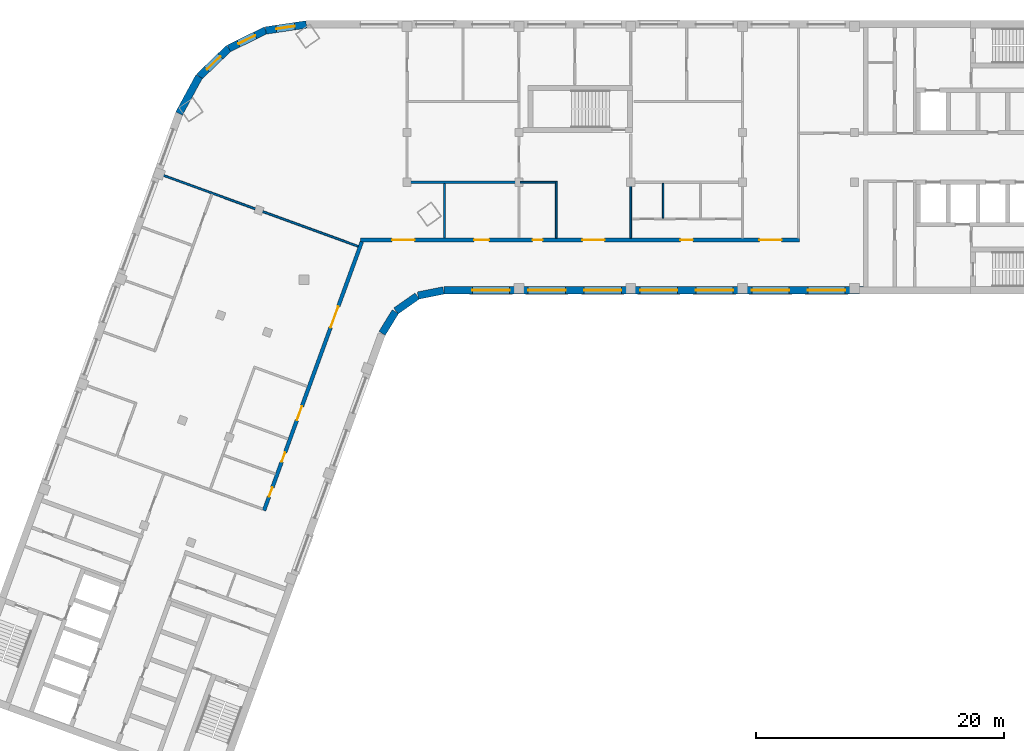
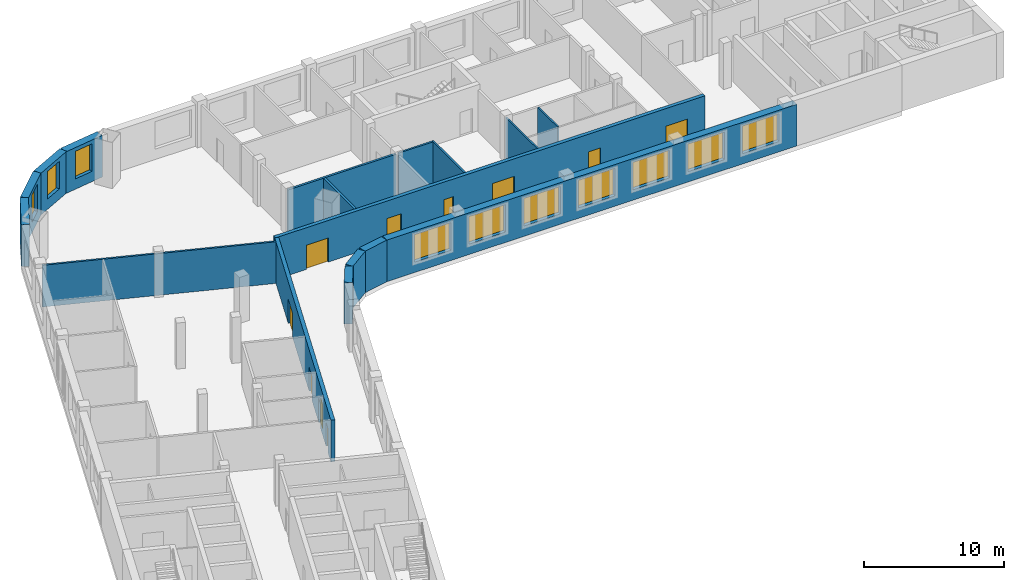
# One storey, part 4 of 9: 17 walls, 10 doors, 10 windows, 20 openings.
"""IFC4 building model written with IfcOpenShell, lengths in metres."""

from ifc_helpers import new_model, si_unit, direction, frame, frame_2d, origin, place, context, subcontext, project, spatial, rectangle, extrude, material, layer, layer_set, type_object, element, fill, save


model = new_model("IFC4")

# Units and contexts
model_context = context("Model", 3, precision=1e-05, world=origin(), true_north=direction((0.0, 1.0)))
body_context = subcontext(model_context, "Body", "Model", "MODEL_VIEW")
ifc_project = project(units=[si_unit("LENGTHUNIT", "METRE"), si_unit("AREAUNIT", "SQUARE_METRE"), si_unit("VOLUMEUNIT", "CUBIC_METRE"), si_unit("PLANEANGLEUNIT", "RADIAN"), si_unit("MASSUNIT", "GRAM", prefix="KILO")], contexts=[model_context])

# Site, building, storey
site_placement = place(None, origin())
site = spatial("IfcSite", under=ifc_project, at=site_placement, CompositionType="ELEMENT")
building_placement = place(site_placement, origin())
building = spatial("IfcBuilding", under=site, at=building_placement, Name="Skarvind Civic Tower", CompositionType="ELEMENT")
storey_placement = place(building_placement, frame((0.0, 0.0, 158.5)))
storey = spatial("IfcBuildingStorey", under=building, at=storey_placement, Name="L37", CompositionType="ELEMENT", Elevation=158.5)

# Walls
ifc_material_1 = material(Name="Acoustic gypsum board on steel studs", Category="steel")
ifc_layer_1 = layer(ifc_material_1, 0.175048828125)
ifc_layer_set_1 = layer_set([ifc_layer_1], Name="ACOUSTIC MEETING-ROOM PARTITION 175")
wall_type_1 = type_object("IfcWallType", Name="ACOUSTIC MEETING-ROOM PARTITION 175", PredefinedType="PARTITIONING", material=ifc_layer_set_1)
wall_1_placement = place(storey_placement, frame((54.251953125, 126.0, 0.0), z_axis=(0.0, 0.0, 1.0), x_axis=(1.0, 0.0, 0.0)))
element("IfcWall", 1, at=wall_1_placement, inside=storey, type_object=wall_type_1, Name="Partition 37.022", PredefinedType="PARTITIONING", context=body_context, shape_type="SweptSolid", body=[
    extrude(rectangle(XDim=8.91015625, YDim=0.175048828125, at=frame_2d((4.455078125, 0.0))), origin(), (0.0, 0.0, 1.0), 3.625),
])
wall_2_placement = place(storey_placement, frame((57.25, 125.912109375, 0.0), z_axis=(0.0, 0.0, 1.0), x_axis=(0.0, -1.0, 0.0)))
element("IfcWall", 2, at=wall_2_placement, inside=storey, type_object=wall_type_1, Name="Partition 37.023", PredefinedType="PARTITIONING", context=body_context, shape_type="SweptSolid", body=[
    extrude(rectangle(XDim=4.4111328125, YDim=0.175048828125, at=frame_2d((2.20556640625, 0.0))), origin(), (0.0, 0.0, 1.0), 3.625),
])

# Wall, openings, doors
ifc_material_2 = material(Name="Fire-rated gypsum board on steel studs", Category="steel")
ifc_layer_2 = layer(ifc_material_2, 0.300048828125)
ifc_layer_set_2 = layer_set([ifc_layer_2], Name="CORRIDOR WALL 300")
wall_type_2 = type_object("IfcWallType", Name="CORRIDOR WALL 300", PredefinedType="PARTITIONING", material=ifc_layer_set_2)
wall_3_placement = place(storey_placement, frame((42.73193359375, 99.5791015625, 0.0), z_axis=(0.0, 0.0, 1.0), x_axis=(0.342036000593, 0.939686849061, 0.0)))
wall_3 = element("IfcWall", 3, at=wall_3_placement, inside=storey, type_object=wall_type_2, Name="Partition 37.017", PredefinedType="PARTITIONING", context=body_context, shape_type="SweptSolid", body=[
    extrude(rectangle(XDim=23.01806640625, YDim=0.300048828125, at=frame_2d((11.509033203125, 0.0))), origin(), (0.0, 0.0, 1.0), 3.625),
])
opening_1_placement = place(wall_3_placement, frame((1.174560546875, 0.0, 0.0)))
opening_1 = element("IfcOpeningElement", 4, at=opening_1_placement, cuts=wall_3, Name="Opening L37-D016", PredefinedType="OPENING", context=body_context, shape_type="SweptSolid", body=[
    extrude(rectangle(XDim=0.800048828125, YDim=2.10009765625, at=frame_2d((0.39990234375, 1.050048828125))), frame((0.0, 0.159912109375, 0.0), z_axis=(0.0, -1.0, 0.0), x_axis=(1.0, 0.0, 0.0)), (0.0, 0.0, 1.0), 0.320068359375),
])
opening_2_placement = place(wall_3_placement, frame((4.174560546875, 0.0, 0.0)))
opening_2 = element("IfcOpeningElement", 5, at=opening_2_placement, cuts=wall_3, Name="Opening L37-D017", PredefinedType="OPENING", context=body_context, shape_type="SweptSolid", body=[
    extrude(rectangle(XDim=0.800048828125, YDim=2.10009765625, at=frame_2d((0.39990234375, 1.050048828125))), frame((0.0, 0.159912109375, 0.0), z_axis=(0.0, -1.0, 0.0), x_axis=(1.0, 0.0, 0.0)), (0.0, 0.0, 1.0), 0.320068359375),
])
opening_3_placement = place(wall_3_placement, frame((7.724609375, 0.0, 0.0)))
opening_3 = element("IfcOpeningElement", 6, at=opening_3_placement, cuts=wall_3, Name="Opening L37-D018", PredefinedType="OPENING", context=body_context, shape_type="SweptSolid", body=[
    extrude(rectangle(XDim=1.199951171875, YDim=2.10009765625, at=frame_2d((0.60009765625, 1.050048828125))), frame((0.0, 0.159912109375, 0.0), z_axis=(0.0, -1.0, 0.0), x_axis=(1.0, 0.0, 0.0)), (0.0, 0.0, 1.0), 0.320068359375),
])
opening_4_placement = place(wall_3_placement, frame((15.674560546875, 0.0, 0.0)))
opening_4 = element("IfcOpeningElement", 7, at=opening_4_placement, cuts=wall_3, Name="Opening L37-D023", PredefinedType="OPENING", context=body_context, shape_type="SweptSolid", body=[
    extrude(rectangle(XDim=1.800048828125, YDim=2.10009765625, at=frame_2d((0.89990234375, 1.050048828125))), frame((0.0, 0.159912109375, 0.0), z_axis=(0.0, -1.0, 0.0), x_axis=(1.0, 0.0, 0.0)), (0.0, 0.0, 1.0), 0.320068359375),
])
ifc_material_3 = material(Name="Fire-rated timber door leaf", Category="wood")
door_type_1 = type_object("IfcDoorType", Name="FD4 1800x2100", OperationType="NOTDEFINED", PredefinedType="DOOR", material=ifc_material_3)
door_1_placement = place(opening_4_placement, origin())
door_1 = element("IfcDoor", 8, at=door_1_placement, inside=storey, type_object=door_type_1, Name="Door L37-D023", OperationType="DOUBLE_DOOR_SINGLE_SWING", OverallHeight=2.10009765625, OverallWidth=1.800048828125, PredefinedType="DOOR", context=body_context, shape_type="SweptSolid", body=[
    extrude(rectangle(XDim=1.800048828125, YDim=2.10009765625, at=frame_2d((0.89990234375, 1.050048828125))), frame((0.0, 0.02490234375, 0.0), z_axis=(0.0, -1.0, 0.0), x_axis=(1.0, 0.0, 0.0)), (0.0, 0.0, 1.0), 0.050048828125),
])
fill(opening_4, door_1)
door_type_2 = type_object("IfcDoorType", Name="FD5 800x2100", OperationType="NOTDEFINED", PredefinedType="DOOR", material=ifc_material_3)
door_2_placement = place(opening_1_placement, origin())
door_2 = element("IfcDoor", 9, at=door_2_placement, inside=storey, type_object=door_type_2, Name="Door L37-D016", OperationType="SINGLE_SWING_RIGHT", OverallHeight=2.10009765625, OverallWidth=0.800048828125, PredefinedType="DOOR", context=body_context, shape_type="SweptSolid", body=[
    extrude(rectangle(XDim=0.800048828125, YDim=2.10009765625, at=frame_2d((0.39990234375, 1.050048828125))), frame((0.0, 0.02490234375, 0.0), z_axis=(0.0, -1.0, 0.0), x_axis=(1.0, 0.0, 0.0)), (0.0, 0.0, 1.0), 0.050048828125),
])
fill(opening_1, door_2)
door_3_placement = place(opening_2_placement, origin())
door_3 = element("IfcDoor", 10, at=door_3_placement, inside=storey, type_object=door_type_2, Name="Door L37-D017", OperationType="SINGLE_SWING_LEFT", OverallHeight=2.10009765625, OverallWidth=0.800048828125, PredefinedType="DOOR", context=body_context, shape_type="SweptSolid", body=[
    extrude(rectangle(XDim=0.800048828125, YDim=2.10009765625, at=frame_2d((0.39990234375, 1.050048828125))), frame((0.0, 0.02490234375, 0.0), z_axis=(0.0, -1.0, 0.0), x_axis=(1.0, 0.0, 0.0)), (0.0, 0.0, 1.0), 0.050048828125),
])
fill(opening_2, door_3)
door_type_3 = type_object("IfcDoorType", Name="FD6 1200x2100 DOUBLE", OperationType="NOTDEFINED", PredefinedType="DOOR", material=ifc_material_3)
door_4_placement = place(opening_3_placement, origin())
door_4 = element("IfcDoor", 11, at=door_4_placement, inside=storey, type_object=door_type_3, Name="Door L37-D018", OperationType="DOUBLE_DOOR_SINGLE_SWING", OverallHeight=2.10009765625, OverallWidth=1.199951171875, PredefinedType="DOOR", context=body_context, shape_type="SweptSolid", body=[
    extrude(rectangle(XDim=1.199951171875, YDim=2.10009765625, at=frame_2d((0.60009765625, 1.050048828125))), frame((0.0, 0.02490234375, 0.0), z_axis=(0.0, -1.0, 0.0), x_axis=(1.0, 0.0, 0.0)), (0.0, 0.0, 1.0), 0.050048828125),
])
fill(opening_3, door_4)

wall_4_placement = place(storey_placement, frame((50.506103515625, 121.35009765625, 0.0), z_axis=(0.0, 0.0, 1.0), x_axis=(1.0, 0.0, 0.0)))
wall_4 = element("IfcWall", 12, at=wall_4_placement, inside=storey, type_object=wall_type_2, Name="Partition 37.019", PredefinedType="PARTITIONING", context=body_context, shape_type="SweptSolid", body=[
    extrude(rectangle(XDim=35.31884765625, YDim=0.300048828125, at=frame_2d((17.659423828125, 0.0))), origin(), (0.0, 0.0, 1.0), 3.625),
])
opening_5_placement = place(wall_4_placement, frame((25.743896484375, 0.0, 0.0)))
opening_5 = element("IfcOpeningElement", 13, at=opening_5_placement, cuts=wall_4, Name="Opening L37-D002", PredefinedType="OPENING", context=body_context, shape_type="SweptSolid", body=[
    extrude(rectangle(XDim=1.0, YDim=2.10009765625, at=frame_2d((0.5, 1.050048828125))), frame((0.0, 0.159912109375, 0.0), z_axis=(0.0, -1.0, 0.0), x_axis=(1.0, 0.0, 0.0)), (0.0, 0.0, 1.0), 0.320068359375),
])
opening_6_placement = place(wall_4_placement, frame((32.093994140625, 0.0, 0.0)))
opening_6 = element("IfcOpeningElement", 14, at=opening_6_placement, cuts=wall_4, Name="Opening L37-D008", PredefinedType="OPENING", context=body_context, shape_type="SweptSolid", body=[
    extrude(rectangle(XDim=1.800048828125, YDim=2.10009765625, at=frame_2d((0.89990234375, 1.050048828125))), frame((0.0, 0.159912109375, 0.0), z_axis=(0.0, -1.0, 0.0), x_axis=(1.0, 0.0, 0.0)), (0.0, 0.0, 1.0), 0.320068359375),
])
opening_7_placement = place(wall_4_placement, frame((13.843994140625, 0.0, 0.0)))
opening_7 = element("IfcOpeningElement", 15, at=opening_7_placement, cuts=wall_4, Name="Opening L37-D009", PredefinedType="OPENING", context=body_context, shape_type="SweptSolid", body=[
    extrude(rectangle(XDim=0.800048828125, YDim=2.10009765625, at=frame_2d((0.39990234375, 1.050048828125))), frame((0.0, 0.159912109375, 0.0), z_axis=(0.0, -1.0, 0.0), x_axis=(1.0, 0.0, 0.0)), (0.0, 0.0, 1.0), 0.320068359375),
])
opening_8_placement = place(wall_4_placement, frame((9.14404296875, 0.0, 0.0)))
opening_8 = element("IfcOpeningElement", 16, at=opening_8_placement, cuts=wall_4, Name="Opening L37-D010", PredefinedType="OPENING", context=body_context, shape_type="SweptSolid", body=[
    extrude(rectangle(XDim=1.199951171875, YDim=2.10009765625, at=frame_2d((0.60009765625, 1.050048828125))), frame((0.0, 0.159912109375, 0.0), z_axis=(0.0, -1.0, 0.0), x_axis=(1.0, 0.0, 0.0)), (0.0, 0.0, 1.0), 0.320068359375),
])
opening_9_placement = place(wall_4_placement, frame((17.843994140625, 0.0, 0.0)))
opening_9 = element("IfcOpeningElement", 17, at=opening_9_placement, cuts=wall_4, Name="Opening L37-D014", PredefinedType="OPENING", context=body_context, shape_type="SweptSolid", body=[
    extrude(rectangle(XDim=1.800048828125, YDim=2.10009765625, at=frame_2d((0.89990234375, 1.050048828125))), frame((0.0, 0.159912109375, 0.0), z_axis=(0.0, -1.0, 0.0), x_axis=(1.0, 0.0, 0.0)), (0.0, 0.0, 1.0), 0.320068359375),
])
opening_10_placement = place(wall_4_placement, frame((2.54296875, 0.0, 0.0)))
opening_10 = element("IfcOpeningElement", 18, at=opening_10_placement, cuts=wall_4, Name="Opening L37-D024", PredefinedType="OPENING", context=body_context, shape_type="SweptSolid", body=[
    extrude(rectangle(XDim=1.800048828125, YDim=2.10009765625, at=frame_2d((0.89990234375, 1.050048828125))), frame((0.0, 0.159912109375, 0.0), z_axis=(0.0, -1.0, 0.0), x_axis=(1.0, 0.0, 0.0)), (0.0, 0.0, 1.0), 0.320068359375),
])
door_type_4 = type_object("IfcDoorType", Name="FD1 1000x2100", OperationType="NOTDEFINED", PredefinedType="DOOR", material=ifc_material_3)
door_5_placement = place(opening_5_placement, origin())
door_5 = element("IfcDoor", 19, at=door_5_placement, inside=storey, type_object=door_type_4, Name="Door L37-D002", OperationType="SINGLE_SWING_LEFT", OverallHeight=2.10009765625, OverallWidth=1.0, PredefinedType="DOOR", context=body_context, shape_type="SweptSolid", body=[
    extrude(rectangle(XDim=1.0, YDim=2.10009765625, at=frame_2d((0.5, 1.050048828125))), frame((0.0, 0.02490234375, 0.0), z_axis=(0.0, -1.0, 0.0), x_axis=(1.0, 0.0, 0.0)), (0.0, 0.0, 1.0), 0.050048828125),
])
fill(opening_5, door_5)
door_6_placement = place(opening_6_placement, origin())
door_6 = element("IfcDoor", 20, at=door_6_placement, inside=storey, type_object=door_type_1, Name="Door L37-D008", OperationType="DOUBLE_DOOR_SINGLE_SWING", OverallHeight=2.10009765625, OverallWidth=1.800048828125, PredefinedType="DOOR", context=body_context, shape_type="SweptSolid", body=[
    extrude(rectangle(XDim=1.800048828125, YDim=2.10009765625, at=frame_2d((0.89990234375, 1.050048828125))), frame((0.0, 0.02490234375, 0.0), z_axis=(0.0, -1.0, 0.0), x_axis=(1.0, 0.0, 0.0)), (0.0, 0.0, 1.0), 0.050048828125),
])
fill(opening_6, door_6)
door_7_placement = place(opening_9_placement, origin())
door_7 = element("IfcDoor", 21, at=door_7_placement, inside=storey, type_object=door_type_1, Name="Door L37-D014", OperationType="DOUBLE_DOOR_SINGLE_SWING", OverallHeight=2.10009765625, OverallWidth=1.800048828125, PredefinedType="DOOR", context=body_context, shape_type="SweptSolid", body=[
    extrude(rectangle(XDim=1.800048828125, YDim=2.10009765625, at=frame_2d((0.89990234375, 1.050048828125))), frame((0.0, 0.02490234375, 0.0), z_axis=(0.0, -1.0, 0.0), x_axis=(1.0, 0.0, 0.0)), (0.0, 0.0, 1.0), 0.050048828125),
])
fill(opening_9, door_7)
door_8_placement = place(opening_10_placement, origin())
door_8 = element("IfcDoor", 22, at=door_8_placement, inside=storey, type_object=door_type_1, Name="Door L37-D024", OperationType="DOUBLE_DOOR_SINGLE_SWING", OverallHeight=2.10009765625, OverallWidth=1.800048828125, PredefinedType="DOOR", context=body_context, shape_type="SweptSolid", body=[
    extrude(rectangle(XDim=1.800048828125, YDim=2.10009765625, at=frame_2d((0.89990234375, 1.050048828125))), frame((0.0, 0.02490234375, 0.0), z_axis=(0.0, -1.0, 0.0), x_axis=(1.0, 0.0, 0.0)), (0.0, 0.0, 1.0), 0.050048828125),
])
fill(opening_10, door_8)
door_9_placement = place(opening_7_placement, origin())
door_9 = element("IfcDoor", 23, at=door_9_placement, inside=storey, type_object=door_type_2, Name="Door L37-D009", OperationType="SINGLE_SWING_LEFT", OverallHeight=2.10009765625, OverallWidth=0.800048828125, PredefinedType="DOOR", context=body_context, shape_type="SweptSolid", body=[
    extrude(rectangle(XDim=0.800048828125, YDim=2.10009765625, at=frame_2d((0.39990234375, 1.050048828125))), frame((0.0, 0.02490234375, 0.0), z_axis=(0.0, -1.0, 0.0), x_axis=(1.0, 0.0, 0.0)), (0.0, 0.0, 1.0), 0.050048828125),
])
fill(opening_7, door_9)
door_10_placement = place(opening_8_placement, origin())
door_10 = element("IfcDoor", 24, at=door_10_placement, inside=storey, type_object=door_type_3, Name="Door L37-D010", OperationType="DOUBLE_DOOR_SINGLE_SWING", OverallHeight=2.10009765625, OverallWidth=1.199951171875, PredefinedType="DOOR", context=body_context, shape_type="SweptSolid", body=[
    extrude(rectangle(XDim=1.199951171875, YDim=2.10009765625, at=frame_2d((0.60009765625, 1.050048828125))), frame((0.0, 0.02490234375, 0.0), z_axis=(0.0, -1.0, 0.0), x_axis=(1.0, 0.0, 0.0)), (0.0, 0.0, 1.0), 0.050048828125),
])
fill(opening_8, door_10)

# Walls
ifc_material_4 = material(Name="Plasterboard partition on steel studs", Category="steel")
ifc_layer_3 = layer(ifc_material_4, 0.14990234375)
ifc_layer_set_3 = layer_set([ifc_layer_3], Name="PARTITION 150")
wall_type_3 = type_object("IfcWallType", Name="PARTITION 150", PredefinedType="PARTITIONING", material=ifc_layer_set_3)
wall_5_placement = place(storey_placement, frame((34.431884765625, 126.6240234375, 0.0), z_axis=(0.0, 0.0, 1.0), x_axis=(0.939664702396, -0.342096838733, 0.0)))
element("IfcWall", 25, at=wall_5_placement, inside=storey, type_object=wall_type_3, Name="Partition 37.009", PredefinedType="PARTITIONING", context=body_context, shape_type="SweptSolid", body=[
    extrude(rectangle(XDim=16.898681640625, YDim=0.14990234375, at=frame_2d((8.44921875, 0.0))), origin(), (0.0, 0.0, 1.0), 3.625),
])
wall_6_placement = place(storey_placement, frame((66.25, 121.5, 0.0), z_axis=(0.0, 0.0, 1.0), x_axis=(0.0, 1.0, 0.0)))
element("IfcWall", 26, at=wall_6_placement, inside=storey, type_object=wall_type_3, Name="Partition 37.028", PredefinedType="PARTITIONING", context=body_context, shape_type="SweptSolid", body=[
    extrude(rectangle(XDim=4.574951171875, YDim=0.14990234375, at=frame_2d((2.28759765625, 0.0))), origin(), (0.0, 0.0, 1.0), 3.625),
])
wall_7_placement = place(storey_placement, frame((66.175048828125, 126.0, 0.0), z_axis=(0.0, 0.0, 1.0), x_axis=(-1.0, 0.0, 0.0)))
element("IfcWall", 27, at=wall_7_placement, inside=storey, type_object=wall_type_3, Name="Partition 37.029", PredefinedType="PARTITIONING", context=body_context, shape_type="SweptSolid", body=[
    extrude(rectangle(XDim=2.837158203125, YDim=0.14990234375, at=frame_2d((1.41845703125, 0.0))), origin(), (0.0, 0.0, 1.0), 3.625),
])
ifc_material_5 = material(Name="Moisture-resistant gypsum board on steel studs", Category="steel")
ifc_layer_4 = layer(ifc_material_5, 0.125)
ifc_layer_set_4 = layer_set([ifc_layer_4], Name="WC PARTITION 125")
wall_type_4 = type_object("IfcWallType", Name="WC PARTITION 125", PredefinedType="PARTITIONING", material=ifc_layer_set_4)
wall_8_placement = place(storey_placement, frame((72.25, 121.5, 0.0), z_axis=(0.0, 0.0, 1.0), x_axis=(0.0, 1.0, 0.0)))
element("IfcWall", 28, at=wall_8_placement, inside=storey, type_object=wall_type_4, Name="Partition 37.031", PredefinedType="PARTITIONING", context=body_context, shape_type="SweptSolid", body=[
    extrude(rectangle(XDim=4.5, YDim=0.125, at=frame_2d((2.25, 0.0))), origin(), (0.0, 0.0, 1.0), 3.625),
])
wall_9_placement = place(storey_placement, frame((74.85009765625, 125.912109375, 0.0), z_axis=(0.0, 0.0, 1.0), x_axis=(0.0, -1.0, 0.0)))
element("IfcWall", 29, at=wall_9_placement, inside=storey, type_object=wall_type_4, Name="Partition 37.036", PredefinedType="PARTITIONING", context=body_context, shape_type="SweptSolid", body=[
    extrude(rectangle(XDim=2.800048828125, YDim=0.125, at=frame_2d((1.39990234375, 0.0))), origin(), (0.0, 0.0, 1.0), 3.625),
])
ifc_material_6 = material(Name="Limestone masonry cladding on insulated backing", Category="masonry")
ifc_layer_5 = layer(ifc_material_6, 0.60009765625)
ifc_layer_set_5 = layer_set([ifc_layer_5], Name="WX1 STONE FACADE WALL 600")
wall_type_5 = type_object("IfcWallType", Name="WX1 STONE FACADE WALL 600", PredefinedType="SOLIDWALL", material=ifc_layer_set_5)
wall_10_placement = place(storey_placement, frame((53.30517578125, 115.578369140625, 0.0), z_axis=(0.0, 0.0, 1.0), x_axis=(-0.522402266438, -0.852699168535, 0.0)))
element("IfcWall", 30, at=wall_10_placement, inside=storey, type_object=wall_type_5, Name="STONE FACADE WALL", PredefinedType="SOLIDWALL", context=body_context, shape_type="SweptSolid", body=[
    extrude(rectangle(XDim=2.042236328125, YDim=0.60009765625, at=frame_2d((1.02099609375, 0.0))), origin(), (0.0, 0.0, 1.0), 3.625),
])
for number, where, z_axis, x_axis, name in (
    (31, (55.061767578125, 116.8388671875, 0.0), (0.0, 0.0, 1.0), (-0.819122269495, -0.573618956815, 0.0), "STONE FACADE WALL"),
    (32, (57.17529296875, 117.2939453125, 0.0), (0.0, 0.0, 1.0), (-0.97996099083, -0.19918949885, 0.0), "STONE FACADE WALL"),
):
    element("IfcWall", number, at=place(storey_placement, frame(where, z_axis=z_axis, x_axis=x_axis)), inside=storey, type_object=wall_type_5, Name=name, PredefinedType="SOLIDWALL", context=body_context, shape_type="SweptSolid", body=[
        extrude(rectangle(XDim=2.09228515625, YDim=0.60009765625, at=frame_2d((1.046142578125, 0.0))), origin(), (0.0, 0.0, 1.0), 3.625),
    ])

# Wall, openings, windows
wall_11_placement = place(storey_placement, frame((90.97998046875, 117.300048828125, 0.0), z_axis=(0.0, 0.0, 1.0), x_axis=(-1.0, 0.0, 0.0)))
wall_11 = element("IfcWall", 33, at=wall_11_placement, inside=storey, type_object=wall_type_5, Name="STONE FACADE WALL", PredefinedType="SOLIDWALL", context=body_context, shape_type="SweptSolid", body=[
    extrude(rectangle(XDim=33.744873046875, YDim=0.60009765625, at=frame_2d((16.87255859375, 0.0))), origin(), (0.0, 0.0, 1.0), 3.625),
])
opening_11_placement = place(wall_11_placement, frame((1.47998046875, 0.0, 0.89990234375)))
opening_11 = element("IfcOpeningElement", 34, at=opening_11_placement, cuts=wall_11, Name="Opening WN1", PredefinedType="OPENING", context=body_context, shape_type="SweptSolid", body=[
    extrude(rectangle(XDim=3.0, YDim=2.39990234375, at=frame_2d((1.5, 1.199951171875))), frame((0.0, 0.31005859375, 0.0), z_axis=(0.0, -1.0, 0.0), x_axis=(1.0, 0.0, 0.0)), (0.0, 0.0, 1.0), 0.6201171875),
])
opening_12_placement = place(wall_11_placement, frame((5.97998046875, 0.0, 0.89990234375)))
opening_12 = element("IfcOpeningElement", 35, at=opening_12_placement, cuts=wall_11, Name="Opening WN1", PredefinedType="OPENING", context=body_context, shape_type="SweptSolid", body=[
    extrude(rectangle(XDim=3.0, YDim=2.39990234375, at=frame_2d((1.5, 1.199951171875))), frame((0.0, 0.31005859375, 0.0), z_axis=(0.0, -1.0, 0.0), x_axis=(1.0, 0.0, 0.0)), (0.0, 0.0, 1.0), 0.6201171875),
])
opening_13_placement = place(wall_11_placement, frame((10.47998046875, 0.0, 0.89990234375)))
opening_13 = element("IfcOpeningElement", 36, at=opening_13_placement, cuts=wall_11, Name="Opening WN1", PredefinedType="OPENING", context=body_context, shape_type="SweptSolid", body=[
    extrude(rectangle(XDim=3.0, YDim=2.39990234375, at=frame_2d((1.5, 1.199951171875))), frame((0.0, 0.31005859375, 0.0), z_axis=(0.0, -1.0, 0.0), x_axis=(1.0, 0.0, 0.0)), (0.0, 0.0, 1.0), 0.6201171875),
])
opening_14_placement = place(wall_11_placement, frame((14.97998046875, 0.0, 0.89990234375)))
opening_14 = element("IfcOpeningElement", 37, at=opening_14_placement, cuts=wall_11, Name="Opening WN1", PredefinedType="OPENING", context=body_context, shape_type="SweptSolid", body=[
    extrude(rectangle(XDim=3.0, YDim=2.39990234375, at=frame_2d((1.5, 1.199951171875))), frame((0.0, 0.31005859375, 0.0), z_axis=(0.0, -1.0, 0.0), x_axis=(1.0, 0.0, 0.0)), (0.0, 0.0, 1.0), 0.6201171875),
])
opening_15_placement = place(wall_11_placement, frame((19.47998046875, 0.0, 0.89990234375)))
opening_15 = element("IfcOpeningElement", 38, at=opening_15_placement, cuts=wall_11, Name="Opening WN1", PredefinedType="OPENING", context=body_context, shape_type="SweptSolid", body=[
    extrude(rectangle(XDim=3.0, YDim=2.39990234375, at=frame_2d((1.5, 1.199951171875))), frame((0.0, 0.31005859375, 0.0), z_axis=(0.0, -1.0, 0.0), x_axis=(1.0, 0.0, 0.0)), (0.0, 0.0, 1.0), 0.6201171875),
])
opening_16_placement = place(wall_11_placement, frame((23.97998046875, 0.0, 0.89990234375)))
opening_16 = element("IfcOpeningElement", 39, at=opening_16_placement, cuts=wall_11, Name="Opening WN1", PredefinedType="OPENING", context=body_context, shape_type="SweptSolid", body=[
    extrude(rectangle(XDim=3.0, YDim=2.39990234375, at=frame_2d((1.5, 1.199951171875))), frame((0.0, 0.31005859375, 0.0), z_axis=(0.0, -1.0, 0.0), x_axis=(1.0, 0.0, 0.0)), (0.0, 0.0, 1.0), 0.6201171875),
])
opening_17_placement = place(wall_11_placement, frame((28.47998046875, 0.0, 0.89990234375)))
opening_17 = element("IfcOpeningElement", 40, at=opening_17_placement, cuts=wall_11, Name="Opening WN1", PredefinedType="OPENING", context=body_context, shape_type="SweptSolid", body=[
    extrude(rectangle(XDim=3.0, YDim=2.39990234375, at=frame_2d((1.5, 1.199951171875))), frame((0.0, 0.31005859375, 0.0), z_axis=(0.0, -1.0, 0.0), x_axis=(1.0, 0.0, 0.0)), (0.0, 0.0, 1.0), 0.6201171875),
])
ifc_material_7 = material(Name="Timber frame, double glazing, timber-lined reveal", Category="wood")
window_type_1 = type_object("IfcWindowType", Name="WN1 PUNCHED STONE WINDOW 3000 x 2400", PartitioningType="SINGLE_PANEL", PredefinedType="WINDOW", material=ifc_material_7)
window_1_placement = place(opening_11_placement, origin())
window_1 = element("IfcWindow", 41, at=window_1_placement, inside=storey, type_object=window_type_1, Name="WN1 WINDOW", OverallHeight=2.39990234375, OverallWidth=3.0, PartitioningType="SINGLE_PANEL", PredefinedType="WINDOW", context=body_context, shape_type="SweptSolid", body=[
    extrude(rectangle(XDim=3.0, YDim=2.39990234375, at=frame_2d((1.5, 1.199951171875))), frame((0.0, 0.030029296875, 0.0), z_axis=(0.0, -1.0, 0.0), x_axis=(1.0, 0.0, 0.0)), (0.0, 0.0, 1.0), 0.06005859375),
])
fill(opening_11, window_1)
window_2_placement = place(opening_12_placement, origin())
window_2 = element("IfcWindow", 42, at=window_2_placement, inside=storey, type_object=window_type_1, Name="WN1 WINDOW", OverallHeight=2.39990234375, OverallWidth=3.0, PartitioningType="SINGLE_PANEL", PredefinedType="WINDOW", context=body_context, shape_type="SweptSolid", body=[
    extrude(rectangle(XDim=3.0, YDim=2.39990234375, at=frame_2d((1.5, 1.199951171875))), frame((0.0, 0.030029296875, 0.0), z_axis=(0.0, -1.0, 0.0), x_axis=(1.0, 0.0, 0.0)), (0.0, 0.0, 1.0), 0.06005859375),
])
fill(opening_12, window_2)
window_3_placement = place(opening_13_placement, origin())
window_3 = element("IfcWindow", 43, at=window_3_placement, inside=storey, type_object=window_type_1, Name="WN1 WINDOW", OverallHeight=2.39990234375, OverallWidth=3.0, PartitioningType="SINGLE_PANEL", PredefinedType="WINDOW", context=body_context, shape_type="SweptSolid", body=[
    extrude(rectangle(XDim=3.0, YDim=2.39990234375, at=frame_2d((1.5, 1.199951171875))), frame((0.0, 0.030029296875, 0.0), z_axis=(0.0, -1.0, 0.0), x_axis=(1.0, 0.0, 0.0)), (0.0, 0.0, 1.0), 0.06005859375),
])
fill(opening_13, window_3)
window_4_placement = place(opening_14_placement, origin())
window_4 = element("IfcWindow", 44, at=window_4_placement, inside=storey, type_object=window_type_1, Name="WN1 WINDOW", OverallHeight=2.39990234375, OverallWidth=3.0, PartitioningType="SINGLE_PANEL", PredefinedType="WINDOW", context=body_context, shape_type="SweptSolid", body=[
    extrude(rectangle(XDim=3.0, YDim=2.39990234375, at=frame_2d((1.5, 1.199951171875))), frame((0.0, 0.030029296875, 0.0), z_axis=(0.0, -1.0, 0.0), x_axis=(1.0, 0.0, 0.0)), (0.0, 0.0, 1.0), 0.06005859375),
])
fill(opening_14, window_4)
window_5_placement = place(opening_15_placement, origin())
window_5 = element("IfcWindow", 45, at=window_5_placement, inside=storey, type_object=window_type_1, Name="WN1 WINDOW", OverallHeight=2.39990234375, OverallWidth=3.0, PartitioningType="SINGLE_PANEL", PredefinedType="WINDOW", context=body_context, shape_type="SweptSolid", body=[
    extrude(rectangle(XDim=3.0, YDim=2.39990234375, at=frame_2d((1.5, 1.199951171875))), frame((0.0, 0.030029296875, 0.0), z_axis=(0.0, -1.0, 0.0), x_axis=(1.0, 0.0, 0.0)), (0.0, 0.0, 1.0), 0.06005859375),
])
fill(opening_15, window_5)
window_6_placement = place(opening_16_placement, origin())
window_6 = element("IfcWindow", 46, at=window_6_placement, inside=storey, type_object=window_type_1, Name="WN1 WINDOW", OverallHeight=2.39990234375, OverallWidth=3.0, PartitioningType="SINGLE_PANEL", PredefinedType="WINDOW", context=body_context, shape_type="SweptSolid", body=[
    extrude(rectangle(XDim=3.0, YDim=2.39990234375, at=frame_2d((1.5, 1.199951171875))), frame((0.0, 0.030029296875, 0.0), z_axis=(0.0, -1.0, 0.0), x_axis=(1.0, 0.0, 0.0)), (0.0, 0.0, 1.0), 0.06005859375),
])
fill(opening_16, window_6)
window_7_placement = place(opening_17_placement, origin())
window_7 = element("IfcWindow", 47, at=window_7_placement, inside=storey, type_object=window_type_1, Name="WN1 WINDOW", OverallHeight=2.39990234375, OverallWidth=3.0, PartitioningType="SINGLE_PANEL", PredefinedType="WINDOW", context=body_context, shape_type="SweptSolid", body=[
    extrude(rectangle(XDim=3.0, YDim=2.39990234375, at=frame_2d((1.5, 1.199951171875))), frame((0.0, 0.030029296875, 0.0), z_axis=(0.0, -1.0, 0.0), x_axis=(1.0, 0.0, 0.0)), (0.0, 0.0, 1.0), 0.06005859375),
])
fill(opening_17, window_7)

# Wall, opening, window
wall_12_placement = place(storey_placement, frame((42.872802734375, 138.21728515625, 0.0), z_axis=(0.0, 0.0, 1.0), x_axis=(0.989110792192, 0.14717282619, 0.0)))
wall_12 = element("IfcWall", 48, at=wall_12_placement, inside=storey, type_object=wall_type_5, Name="STONE FACADE WALL", PredefinedType="SOLIDWALL", context=body_context, shape_type="SweptSolid", body=[
    extrude(rectangle(XDim=3.302734375, YDim=0.60009765625, at=frame_2d((1.6513671875, 0.0))), origin(), (0.0, 0.0, 1.0), 3.625),
])
opening_18_placement = place(wall_12_placement, frame((0.8564453125, 0.0, 0.89990234375)))
opening_18 = element("IfcOpeningElement", 49, at=opening_18_placement, cuts=wall_12, Name="Opening WN8", PredefinedType="OPENING", context=body_context, shape_type="SweptSolid", body=[
    extrude(rectangle(XDim=1.5, YDim=2.39990234375, at=frame_2d((0.75, 1.199951171875))), frame((0.0, 0.31005859375, 0.0), z_axis=(0.0, -1.0, 0.0), x_axis=(1.0, 0.0, 0.0)), (0.0, 0.0, 1.0), 0.6201171875),
])
window_type_2 = type_object("IfcWindowType", Name="WN8 ARC BAY WINDOW 1500 x 2400", PartitioningType="SINGLE_PANEL", PredefinedType="WINDOW", material=ifc_material_7)
window_8_placement = place(opening_18_placement, origin())
window_8 = element("IfcWindow", 50, at=window_8_placement, inside=storey, type_object=window_type_2, Name="WN8 WINDOW", OverallHeight=2.39990234375, OverallWidth=1.5, PartitioningType="SINGLE_PANEL", PredefinedType="WINDOW", context=body_context, shape_type="SweptSolid", body=[
    extrude(rectangle(XDim=1.5, YDim=2.39990234375, at=frame_2d((0.75, 1.199951171875))), frame((0.0, 0.030029296875, 0.0), z_axis=(0.0, -1.0, 0.0), x_axis=(1.0, 0.0, 0.0)), (0.0, 0.0, 1.0), 0.06005859375),
])
fill(opening_18, window_8)

wall_13_placement = place(storey_placement, frame((39.9072265625, 136.77587890625, 0.0), z_axis=(0.0, 0.0, 1.0), x_axis=(0.89761231107, 0.440785819889, 0.0)))
wall_13 = element("IfcWall", 51, at=wall_13_placement, inside=storey, type_object=wall_type_5, Name="STONE FACADE WALL", PredefinedType="SOLIDWALL", context=body_context, shape_type="SweptSolid", body=[
    extrude(rectangle(XDim=3.302734375, YDim=0.60009765625, at=frame_2d((1.6513671875, 0.0))), origin(), (0.0, 0.0, 1.0), 3.625),
])
opening_19_placement = place(wall_13_placement, frame((0.8564453125, 0.0, 0.89990234375)))
opening_19 = element("IfcOpeningElement", 52, at=opening_19_placement, cuts=wall_13, Name="Opening WN8", PredefinedType="OPENING", context=body_context, shape_type="SweptSolid", body=[
    extrude(rectangle(XDim=1.5, YDim=2.39990234375, at=frame_2d((0.75, 1.199951171875))), frame((0.0, 0.31005859375, 0.0), z_axis=(0.0, -1.0, 0.0), x_axis=(1.0, 0.0, 0.0)), (0.0, 0.0, 1.0), 0.6201171875),
])
window_9_placement = place(opening_19_placement, origin())
window_9 = element("IfcWindow", 53, at=window_9_placement, inside=storey, type_object=window_type_2, Name="WN8 WINDOW", OverallHeight=2.39990234375, OverallWidth=1.5, PartitioningType="SINGLE_PANEL", PredefinedType="WINDOW", context=body_context, shape_type="SweptSolid", body=[
    extrude(rectangle(XDim=1.5, YDim=2.39990234375, at=frame_2d((0.75, 1.199951171875))), frame((0.0, 0.030029296875, 0.0), z_axis=(0.0, -1.0, 0.0), x_axis=(1.0, 0.0, 0.0)), (0.0, 0.0, 1.0), 0.06005859375),
])
fill(opening_19, window_9)

wall_14_placement = place(storey_placement, frame((37.520263671875, 134.501220703125, 0.0), z_axis=(0.0, 0.0, 1.0), x_axis=(0.72115684486, 0.692771827596, 0.0)))
wall_14 = element("IfcWall", 54, at=wall_14_placement, inside=storey, type_object=wall_type_5, Name="STONE FACADE WALL", PredefinedType="SOLIDWALL", context=body_context, shape_type="SweptSolid", body=[
    extrude(rectangle(XDim=3.302734375, YDim=0.60009765625, at=frame_2d((1.6513671875, 0.0))), origin(), (0.0, 0.0, 1.0), 3.625),
])
opening_20_placement = place(wall_14_placement, frame((0.8564453125, 0.0, 0.89990234375)))
opening_20 = element("IfcOpeningElement", 55, at=opening_20_placement, cuts=wall_14, Name="Opening WN8", PredefinedType="OPENING", context=body_context, shape_type="SweptSolid", body=[
    extrude(rectangle(XDim=1.5, YDim=2.39990234375, at=frame_2d((0.75, 1.199951171875))), frame((0.0, 0.31005859375, 0.0), z_axis=(0.0, -1.0, 0.0), x_axis=(1.0, 0.0, 0.0)), (0.0, 0.0, 1.0), 0.6201171875),
])
window_10_placement = place(opening_20_placement, origin())
window_10 = element("IfcWindow", 56, at=window_10_placement, inside=storey, type_object=window_type_2, Name="WN8 WINDOW", OverallHeight=2.39990234375, OverallWidth=1.5, PartitioningType="SINGLE_PANEL", PredefinedType="WINDOW", context=body_context, shape_type="SweptSolid", body=[
    extrude(rectangle(XDim=1.5, YDim=2.39990234375, at=frame_2d((0.75, 1.199951171875))), frame((0.0, 0.030029296875, 0.0), z_axis=(0.0, -1.0, 0.0), x_axis=(1.0, 0.0, 0.0)), (0.0, 0.0, 1.0), 0.06005859375),
])
fill(opening_20, window_10)

# Wall
wall_15_placement = place(storey_placement, frame((35.89453125, 131.529541015625, 0.0), z_axis=(0.0, 0.0, 1.0), x_axis=(0.476531180538, 0.879157570618, 0.0)))
element("IfcWall", 57, at=wall_15_placement, inside=storey, type_object=wall_type_5, Name="STONE FACADE WALL", PredefinedType="SOLIDWALL", context=body_context, shape_type="SweptSolid", body=[
    extrude(rectangle(XDim=3.392578125, YDim=0.60009765625, at=frame_2d((1.6962890625, 0.0))), origin(), (0.0, 0.0, 1.0), 3.625),
])

save(model, "model.ifc")
